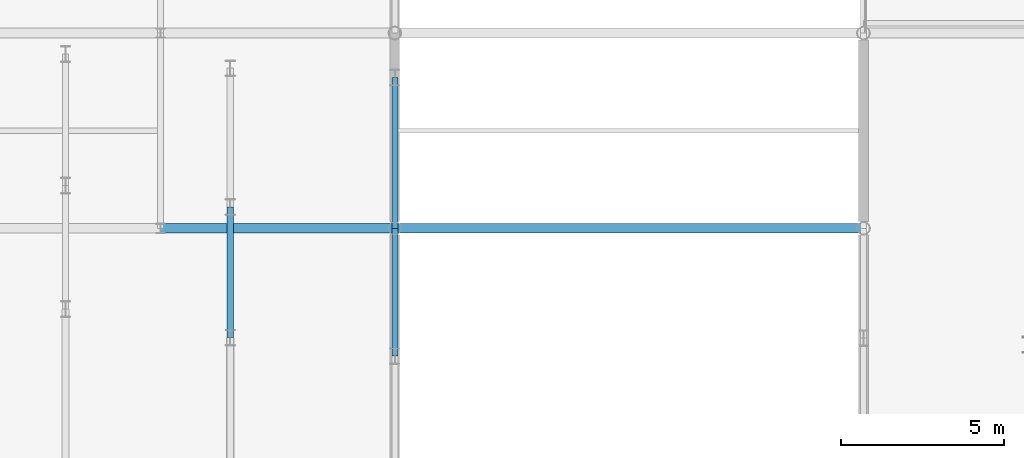
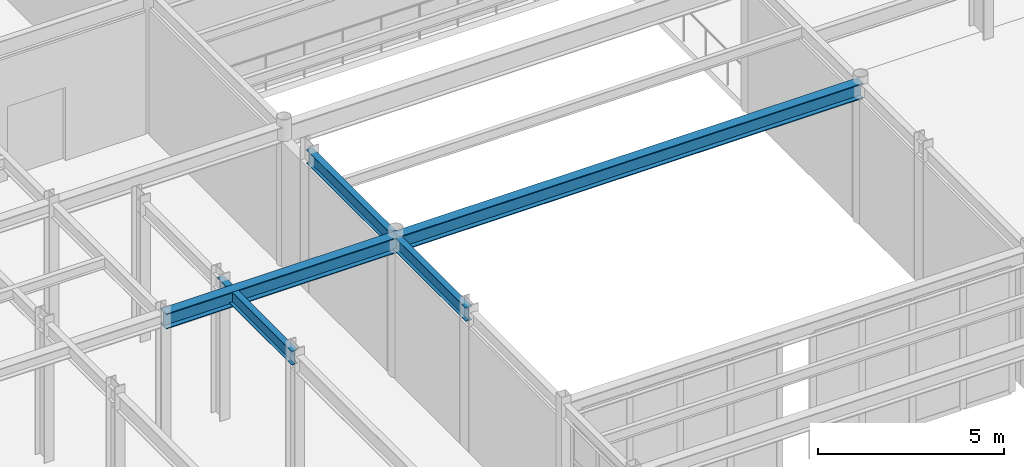
# One storey, part 42 of 121: 5 beams.
"""IFC4 building model written with IfcOpenShell, lengths in metres."""

from ifc_helpers import new_model, si_unit, direction, frame, origin, origin_2d, place, context, subcontext, project, spatial, i_section, extrude, material, material_profile, profile_set, type_object, element, save


model = new_model("IFC4")

# Units and contexts
model_context = context("Model", 3, precision=1e-05, world=origin(), true_north=direction((0.0, 1.0)))
body_context = subcontext(model_context, "Body", "Model", "MODEL_VIEW")
ifc_project = project(units=[si_unit("LENGTHUNIT", "METRE"), si_unit("AREAUNIT", "SQUARE_METRE"), si_unit("VOLUMEUNIT", "CUBIC_METRE"), si_unit("PLANEANGLEUNIT", "RADIAN"), si_unit("MASSUNIT", "GRAM", prefix="KILO")], contexts=[model_context])

# Site, building, storey
site_placement = place(None, origin())
site = spatial("IfcSite", under=ifc_project, at=site_placement, CompositionType="ELEMENT")
building_placement = place(site_placement, origin())
building = spatial("IfcBuilding", under=site, at=building_placement, Name="Solvadek Multi-Sports Hall", CompositionType="ELEMENT")
storey_placement = place(building_placement, frame((0.0, 0.0, 4.800048828125)))
storey = spatial("IfcBuildingStorey", under=building, at=storey_placement, Name="L01", CompositionType="ELEMENT", Elevation=4.800048828125)

# Beams
ifc_material = material(Name="Steel E350 (350 MPa)", Category="steel")
ifc_material_profile_1 = material_profile(ifc_material, i_section(OverallWidth=0.18994140625, OverallDepth=0.449951171875, WebThickness=0.009521484375, FlangeThickness=0.0146484375, at=origin_2d()), Name="NPB 450")
ifc_profile_set_1 = profile_set([ifc_material_profile_1], Name="Steel E350 (350 MPa)")
beam_type_1 = type_object("IfcBeamType", Name="STR-BM-NPB450", PredefinedType="BEAM", material=ifc_profile_set_1)
beam_1_placement = place(storey_placement, frame((66.939453125, -3.362060546875, 4.3349609375), z_axis=(0.0, 1.0, 0.0), x_axis=(-1.0, 0.0, 0.0)))
element("IfcBeam", 1, at=beam_1_placement, inside=storey, type_object=beam_type_1, Name="L01 Girder B-08 #1242", PredefinedType="BEAM", context=body_context, shape_type="SweptSolid", body=[
    extrude(i_section(OverallWidth=0.18994140625, OverallDepth=0.449951171875, WebThickness=0.009521484375, FlangeThickness=0.0146484375, at=origin_2d()), origin(), (0.0, 0.0, 1.0), 4.01513671875),
])
beam_2_placement = place(storey_placement, frame((72.0, -3.928955078125, 4.3349609375), z_axis=(0.0, 1.0, 0.0), x_axis=(-1.0, 0.0, 0.0)))
element("IfcBeam", 2, at=beam_2_placement, inside=storey, type_object=beam_type_1, Name="L01 Girder B-08 #1246", PredefinedType="BEAM", context=body_context, shape_type="SweptSolid", body=[
    extrude(i_section(OverallWidth=0.18994140625, OverallDepth=0.449951171875, WebThickness=0.009521484375, FlangeThickness=0.0146484375, at=origin_2d()), origin(), (0.0, 0.0, 1.0), 3.928955078125),
])
beam_3_placement = place(storey_placement, frame((72.0, 0.0, 4.3349609375), z_axis=(0.0, 1.0, 0.0), x_axis=(-1.0, 0.0, 0.0)))
element("IfcBeam", 3, at=beam_3_placement, inside=storey, type_object=beam_type_1, Name="L01 Girder B-08 #1247", PredefinedType="BEAM", context=body_context, shape_type="SweptSolid", body=[
    extrude(i_section(OverallWidth=0.18994140625, OverallDepth=0.449951171875, WebThickness=0.009521484375, FlangeThickness=0.0146484375, at=origin_2d()), origin(), (0.0, 0.0, 1.0), 4.635498046875),
])
ifc_material_profile_2 = material_profile(ifc_material, i_section(OverallWidth=0.300048828125, OverallDepth=0.5, WebThickness=0.014404296875, FlangeThickness=0.028076171875, at=origin_2d()), Name="WPB 500")
ifc_profile_set_2 = profile_set([ifc_material_profile_2], Name="Steel E350 (350 MPa)")
beam_type_2 = type_object("IfcBeamType", Name="STR-SPN-WPB500", PredefinedType="SPANDREL", material=ifc_profile_set_2)
beam_4_placement = place(storey_placement, frame((64.800048828125, 0.0, 4.31005859375), z_axis=(1.0, 0.0, 0.0), x_axis=(0.0, 1.0, 0.0)))
element("IfcBeam", 4, at=beam_4_placement, inside=storey, type_object=beam_type_2, Name="L01 Girder SP-01 #949", PredefinedType="SPANDREL", context=body_context, shape_type="SweptSolid", body=[
    extrude(i_section(OverallWidth=0.300048828125, OverallDepth=0.5, WebThickness=0.014404296875, FlangeThickness=0.028076171875, at=origin_2d()), origin(), (0.0, 0.0, 1.0), 7.199951171875),
])
beam_5_placement = place(storey_placement, frame((72.0, 0.0, 4.31005859375), z_axis=(1.0, 0.0, 0.0), x_axis=(0.0, 1.0, 0.0)))
element("IfcBeam", 5, at=beam_5_placement, inside=storey, type_object=beam_type_2, Name="L01 Girder SP-01 #950", PredefinedType="SPANDREL", context=body_context, shape_type="SweptSolid", body=[
    extrude(i_section(OverallWidth=0.300048828125, OverallDepth=0.5, WebThickness=0.014404296875, FlangeThickness=0.028076171875, at=origin_2d()), origin(), (0.0, 0.0, 1.0), 14.39990234375),
])

save(model, "model.ifc")
